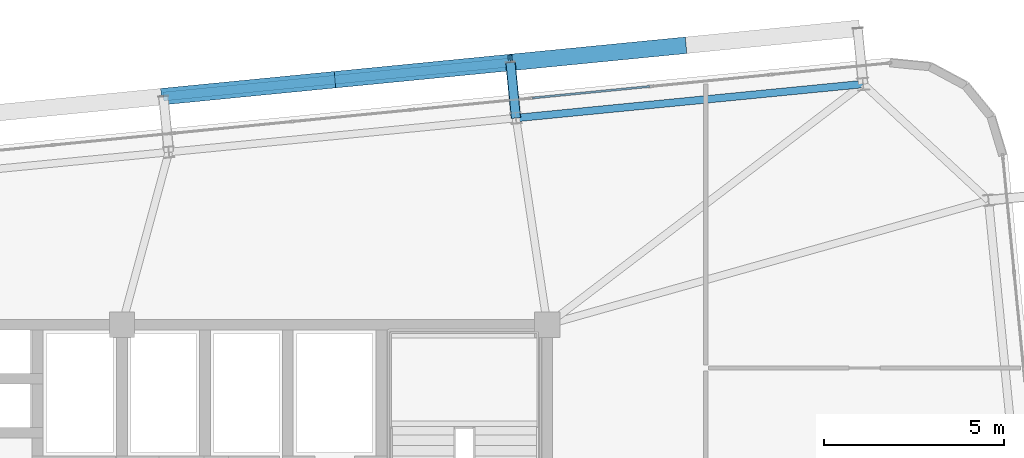
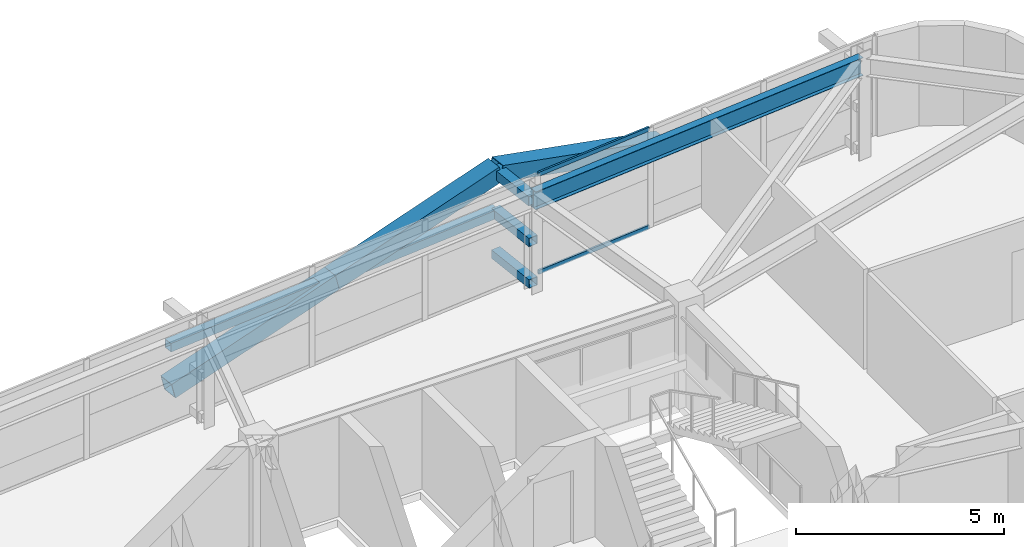
# One storey, part 32 of 52: 9 members, 1 beam, 1 element without a shape of its own.
"""IFC4 building model written with IfcOpenShell, lengths in metres."""

from ifc_helpers import new_model, si_unit, direction, frame, origin, origin_2d, place, context, subcontext, project, spatial, hollow_rectangle, i_section, extrude, source, transform, mapped, material, layer, layer_set, material_profile, profile_set, type_object, element, aggregate, save


model = new_model("IFC4")

# Units and contexts
model_context = context("Model", 3, precision=1e-05, world=origin(), true_north=direction((0.0, 1.0)))
body_context = subcontext(model_context, "Body", "Model", "MODEL_VIEW")
ifc_project = project(units=[si_unit("LENGTHUNIT", "METRE"), si_unit("AREAUNIT", "SQUARE_METRE"), si_unit("VOLUMEUNIT", "CUBIC_METRE"), si_unit("PLANEANGLEUNIT", "RADIAN"), si_unit("MASSUNIT", "GRAM", prefix="KILO")], contexts=[model_context])

# Site, building, storey
site_placement = place(None, origin())
site = spatial("IfcSite", under=ifc_project, at=site_placement, CompositionType="ELEMENT")
building_placement = place(site_placement, origin())
building = spatial("IfcBuilding", under=site, at=building_placement, Name="Taldren Reach Tower", CompositionType="ELEMENT")
storey_placement = place(building_placement, frame((0.0, 0.0, 77.699951171875)))
storey = spatial("IfcBuildingStorey", under=building, at=storey_placement, Name="L23", CompositionType="ELEMENT", Elevation=77.699951171875)

# Members
ifc_material_1 = material(Name="Steel Gr 450 (C450L0)", Category="steel")
ifc_material_profile_1 = material_profile(ifc_material_1, hollow_rectangle(XDim=0.27490234375, YDim=0.27490234375, WallThickness=0.00927734375, at=origin_2d()), Name="275x275x9.3SHS")
ifc_profile_set_1 = profile_set([ifc_material_profile_1], Name="Steel Gr 450 (C450L0)")
member_type_1 = type_object("IfcMemberType", Name="MB-TIE273", PredefinedType="STRUT", material=ifc_profile_set_1)
shared_shape_1 = source(origin(), body_context, "Body", "SweptSolid", [
    extrude(hollow_rectangle(XDim=0.27490234375, YDim=0.27490234375, WallThickness=0.00927734375, at=origin_2d()), origin(), (0.0, 0.0, 1.0), 1.5498046875),
])
member_1_placement = place(storey_placement, frame((50.132080078125, 37.7353515625, 2.650146484375), z_axis=(-0.097663201064, 0.995219523099, 0.0), x_axis=(-0.995219523099, -0.097663201064, 0.0)))
element("IfcMember", 1, at=member_1_placement, inside=storey, type_object=member_type_1, Name="Exoskeleton diaphragm tie strut B2-N5 L23", PredefinedType="STRUT", context=body_context, shape_type="MappedRepresentation", body=[
    mapped(shared_shape_1, transform((0.0, 0.0, 0.0), scale=1.0)),
])
ifc_material_2 = material(Name="Steel Gr 350 (C350L0)", Category="steel")
ifc_material_profile_2 = material_profile(ifc_material_2, hollow_rectangle(XDim=0.25, YDim=0.25, WallThickness=0.010009765625, at=origin_2d()), Name="250x250x10.0SHS")
ifc_profile_set_2 = profile_set([ifc_material_profile_2], Name="Steel Gr 350 (C350L0)")
member_type_2 = type_object("IfcMemberType", Name="MB-POST250", PredefinedType="POST", material=ifc_profile_set_2)
shared_shape_2 = source(origin(), body_context, "Body", "SweptSolid", [
    extrude(hollow_rectangle(XDim=0.25, YDim=0.25, WallThickness=0.010009765625, at=origin_2d()), origin(), (0.0, 0.0, 1.0), 1.5498046875),
])
for number, where, z_axis, x_axis, name in (
    (2, (50.132080078125, 37.7353515625, 0.219970703125), (-0.097663201064, 0.995219523099, 0.0), (-0.995219523099, -0.097663201064, 0.0), "Exoskeleton base diaphragm tie strut B2-N5 L23"),
    (3, (50.132080078125, 37.7353515625, 1.43505859375), (-0.097663201064, 0.995219523099, 0.0), (-0.995219523099, -0.097663201064, 0.0), "Exoskeleton mid-tier diaphragm tie B2-N5 L23"),
):
    element("IfcMember", number, at=place(storey_placement, frame(where, z_axis=z_axis, x_axis=x_axis)), inside=storey, type_object=member_type_2, Name=name, PredefinedType="POST", context=body_context, shape_type="MappedRepresentation", body=[
        mapped(shared_shape_2, transform((0.0, 0.0, 0.0), scale=1.0)),
    ])

# Beam
ifc_material_3 = material(Name="Steel Gr 350 (350PLUS)", Category="steel")
ifc_material_profile_3 = material_profile(ifc_material_3, i_section(OverallWidth=0.208984375, OverallDepth=0.528076171875, WebThickness=0.009521484375, FlangeThickness=0.01318359375, at=origin_2d()), Name="530UB82.0")
ifc_profile_set_3 = profile_set([ifc_material_profile_3], Name="Steel Gr 350 (350PLUS)")
beam_type = type_object("IfcBeamType", Name="SP-UB530B", PredefinedType="SPANDREL", material=ifc_profile_set_3)
shared_shape_3 = source(origin(), body_context, "Body", "SweptSolid", [
    extrude(i_section(OverallWidth=0.208984375, OverallDepth=0.528076171875, WebThickness=0.009521484375, FlangeThickness=0.01318359375, at=origin_2d()), origin(), (0.0, 0.0, 1.0), 9.679931640625),
])
beam_placement = place(storey_placement, frame((59.765869140625, 38.679931640625, 2.666015625), z_axis=(-0.995227612658, -0.097580730699, 0.0), x_axis=(0.097580730699, -0.995227612658, 0.0)))
element("IfcBeam", 4, at=beam_placement, inside=storey, type_object=beam_type, Name="Perimeter spandrel B2 N6-N5 L23", PredefinedType="SPANDREL", context=body_context, shape_type="MappedRepresentation", body=[
    mapped(shared_shape_3, transform((0.0, 0.0, 0.0), scale=1.0)),
])

# Members
ifc_material_profile_4 = material_profile(ifc_material_1, hollow_rectangle(XDim=0.4599609375, YDim=0.4599609375, WallThickness=0.01611328125, at=origin_2d()), Name="460x460x16.0SHS")
ifc_profile_set_4 = profile_set([ifc_material_profile_4], Name="Steel Gr 450 (C450L0)")
member_type_3 = type_object("IfcMemberType", Name="MB-EXO457", PredefinedType="BRACE", material=ifc_profile_set_4)
shared_shape_4 = source(origin(), body_context, "Body", "SweptSolid", [
    extrude(hollow_rectangle(XDim=0.4599609375, YDim=0.4599609375, WallThickness=0.01611328125, at=origin_2d()), origin(), (0.0, 0.0, 1.0), 4.990234375),
])
for number, where, z_axis, x_axis, name in (
    (5, (40.346923828125, 38.333251953125, 0.219970703125), (0.965271056716, 0.094667992638, 0.243494883389), (-0.097605711627, 0.995225162995, 0.0), "Exoskeleton Diagrid Brace B2-N4 L23"),
    (6, (45.163818359375, 38.8056640625, 1.43505859375), (0.965275526283, 0.094619506732, 0.243496010862), (-0.097555749586, 0.995230061706, 0.0), "Exoskeleton Diagrid Brace B2-N4 L23"),
    (7, (54.797607421875, 39.750244140625, 1.43505859375), (-0.965271056716, -0.094667992638, 0.243494883389), (0.097605711627, -0.995225162995, 0.0), "Exoskeleton Diagrid Brace B2-N5 L23"),
):
    element("IfcMember", number, at=place(storey_placement, frame(where, z_axis=z_axis, x_axis=x_axis)), inside=storey, type_object=member_type_3, Name=name, PredefinedType="BRACE", context=body_context, shape_type="MappedRepresentation", body=[
        mapped(shared_shape_4, transform((0.0, 0.0, 0.0), scale=1.0)),
    ])
shared_shape_5 = source(origin(), body_context, "Body", "SweptSolid", [
    extrude(hollow_rectangle(XDim=0.25, YDim=0.25, WallThickness=0.010009765625, at=origin_2d()), origin(), (0.0, 0.0, 1.0), 9.679931640625),
])
member_2_placement = place(storey_placement, frame((40.346923828125, 38.333251953125, 1.43505859375), z_axis=(0.995227612658, 0.097580730699, 0.0), x_axis=(-0.097580730699, 0.995227612658, 0.0)))
element("IfcMember", 8, at=member_2_placement, inside=storey, type_object=member_type_2, Name="Exoskeleton mid-height ring chord B2-N4 L23", PredefinedType="POST", context=body_context, shape_type="MappedRepresentation", body=[
    mapped(shared_shape_5, transform((0.0, 0.0, 0.0), scale=1.0)),
])

# Curtain wall, members
ifc_material_4 = material(Name="Aluminium and Low-E Glass Unitised System", Category="aluminium")
ifc_layer = layer(ifc_material_4, 0.159912109375)
ifc_layer_set = layer_set([ifc_layer], Name="Aluminium and Low-E Glass Unitised System")
curtain_wall_type = type_object("IfcCurtainWallType", Name="CW-SYS-3", PredefinedType="NOTDEFINED", material=ifc_layer_set)
curtain_wall_placement = place(storey_placement, origin())
curtain_wall = element("IfcCurtainWall", 9, at=curtain_wall_placement, inside=storey, type_object=curtain_wall_type, Name="Unitised curtain wall CW-L23-N", PredefinedType="NOTDEFINED")
ifc_material_5 = material(Name="Anodised Aluminium 6063-T6", Category="aluminium")
ifc_material_profile_5 = material_profile(ifc_material_5, hollow_rectangle(XDim=0.054931640625, YDim=0.1201171875, WallThickness=0.0029296875, at=origin_2d()), Name="ALU-120x55x3RHS")
ifc_profile_set_5 = profile_set([ifc_material_profile_5], Name="Anodised Aluminium 6063-T6")
member_type_4 = type_object("IfcMemberType", Name="CW-TRN-135", PredefinedType="USERDEFINED", material=ifc_profile_set_5)
shared_shape_6 = source(origin(), body_context, "Body", "SweptSolid", [
    extrude(hollow_rectangle(XDim=0.054931640625, YDim=0.1201171875, WallThickness=0.0029296875, at=origin_2d()), origin(), (0.0, 0.0, 1.0), 3.268310546875),
])
member_3_placement = place(storey_placement, frame((53.844970703125, 38.61181640625, 0.027587890625), z_axis=(-0.99522980512, -0.097558367146, 0.0), x_axis=(0.097558367146, -0.99522980512, 0.0)))
member_3 = element("IfcMember", 10, at=member_3_placement, type_object=member_type_4, Name="CW-3 transom 3.1", ObjectType="TRANSOM", PredefinedType="USERDEFINED", context=body_context, shape_type="MappedRepresentation", body=[
    mapped(shared_shape_6, transform((0.0, 0.0, 0.0), scale=1.0)),
])
member_4_placement = place(storey_placement, frame((53.844970703125, 38.61181640625, 2.902587890625), z_axis=(-0.99522980512, -0.097558367146, 0.0), x_axis=(0.097558367146, -0.99522980512, 0.0)))
member_4 = element("IfcMember", 11, at=member_4_placement, type_object=member_type_4, Name="CW-3 transom 3.2", ObjectType="TRANSOM", PredefinedType="USERDEFINED", context=body_context, shape_type="MappedRepresentation", body=[
    mapped(shared_shape_6, transform((0.0, 0.0, 0.0), scale=1.0)),
])
aggregate(curtain_wall, [member_3, member_4])

save(model, "model.ifc")
